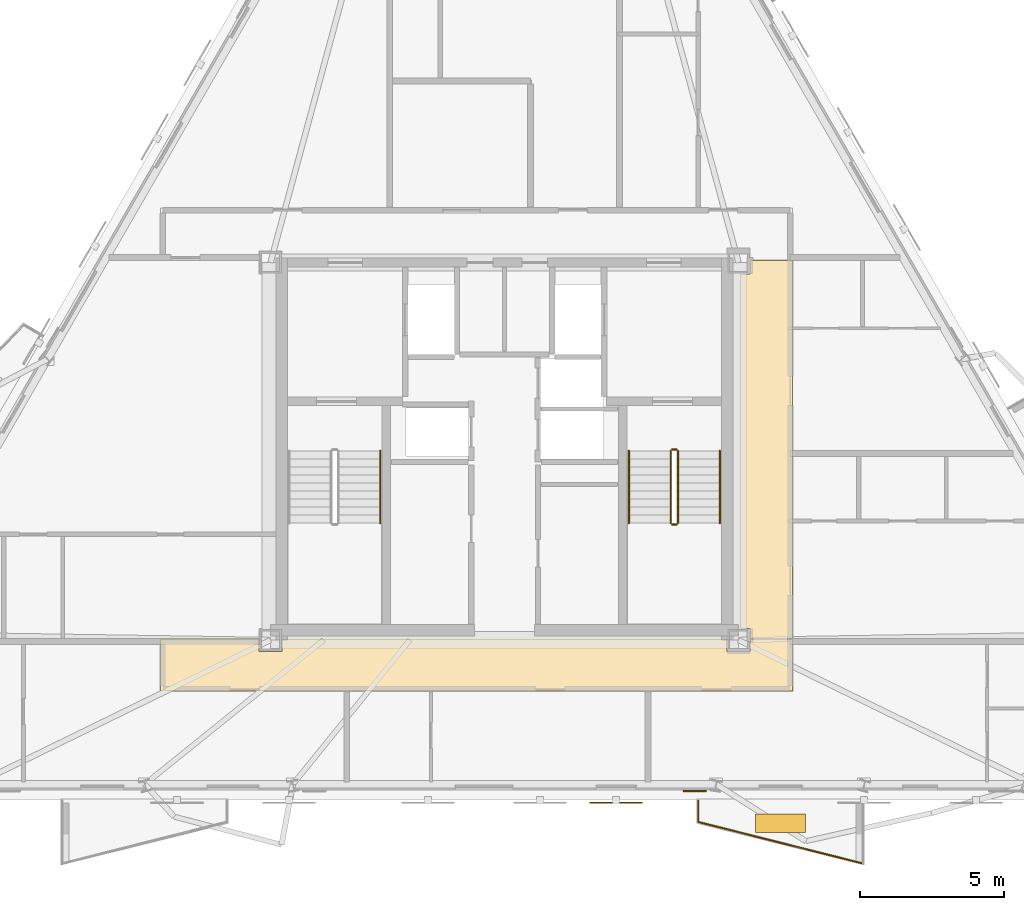
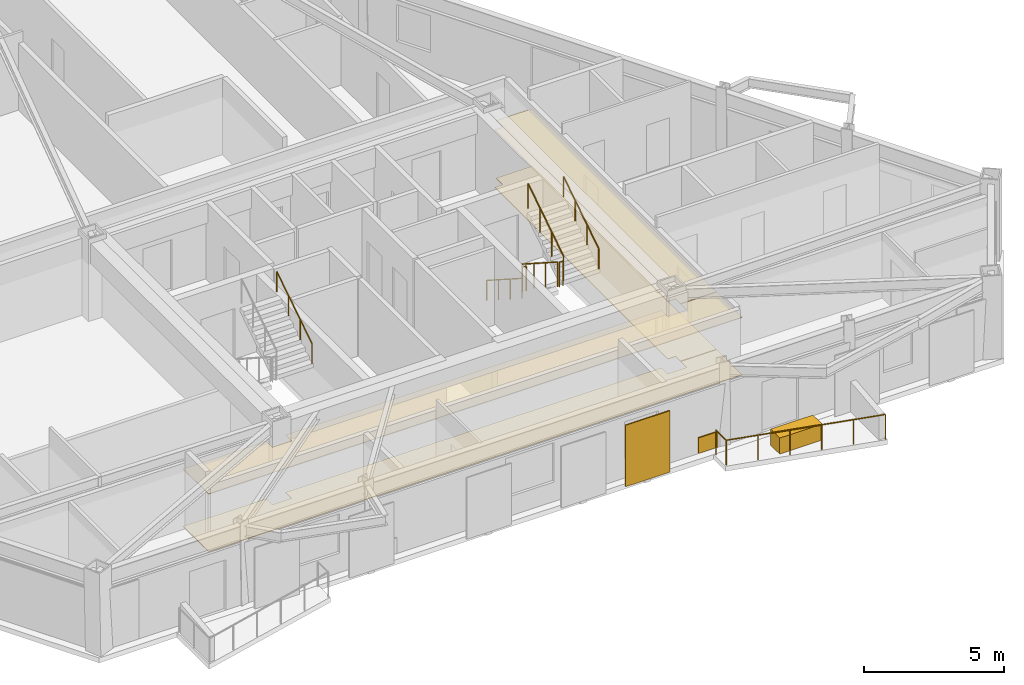
# One storey, part 8 of 9: 9 railings, 6 coverings, 1 shading device.
"""IFC4 building model written with IfcOpenShell, lengths in metres."""

from ifc_helpers import new_model, si_unit, direction, frame, origin, origin_2d, place, context, subcontext, project, spatial, polyline, rectangle, circle, outline, extrude, material, layer, layer_set, type_object, element, save


model = new_model("IFC4")

# Units and contexts
model_context = context("Model", 3, precision=1e-05, world=origin(), true_north=direction((0.0, 1.0)))
body_context = subcontext(model_context, "Body", "Model", "MODEL_VIEW")
ifc_project = project(units=[si_unit("LENGTHUNIT", "METRE"), si_unit("AREAUNIT", "SQUARE_METRE"), si_unit("VOLUMEUNIT", "CUBIC_METRE"), si_unit("PLANEANGLEUNIT", "RADIAN"), si_unit("MASSUNIT", "GRAM", prefix="KILO")], contexts=[model_context])

# Site, building, storey
site_placement = place(None, origin())
site = spatial("IfcSite", under=ifc_project, at=site_placement, CompositionType="ELEMENT")
building_placement = place(site_placement, origin())
building = spatial("IfcBuilding", under=site, at=building_placement, Name="Oramaril Tower", CompositionType="ELEMENT")
storey_placement = place(building_placement, frame((0.0, 0.0, 230.699951171875)))
storey = spatial("IfcBuildingStorey", under=building, at=storey_placement, Name="L61", CompositionType="ELEMENT", Elevation=230.699951171875)

# Coverings
ifc_material_1 = material(Name="Mineral Fibre Acoustic Ceiling")
ifc_layer_1 = layer(ifc_material_1, 0.02001953125)
ifc_layer_set_1 = layer_set([ifc_layer_1], Name="CVT-CEIL")
covering_type_1 = type_object("IfcCoveringType", Name="CVT-CEIL", PredefinedType="CEILING", material=ifc_layer_set_1)
covering_1_placement = place(storey_placement, frame((0.0, 0.0, 2.511962890625)))
element("IfcCovering", 1, at=covering_1_placement, inside=storey, type_object=covering_type_1, Name="L61 Acoustic Suspended Ceiling 1", PredefinedType="CEILING", context=body_context, shape_type="SweptSolid", body=[
    extrude(outline(polyline([(28.955078125, 10.60498046875), (29.7451171875, 10.60498046875), (29.7451171875, 11.030029296875), (45.2548828125, 11.030029296875), (45.2548828125, 10.60498046875), (46.044921875, 10.60498046875), (46.044921875, 11.030029296875), (47.530029296875, 11.030029296875), (47.530029296875, 9.219970703125), (25.52001953125, 9.219970703125), (25.52001953125, 11.030029296875), (28.955078125, 11.030029296875), (28.955078125, 10.60498046875)])), origin(), (0.0, 0.0, 1.0), 0.02001953125),
])
covering_2_placement = place(storey_placement, frame((0.0, 0.0, 2.511962890625)))
element("IfcCovering", 2, at=covering_2_placement, inside=storey, type_object=covering_type_1, Name="L61 Acoustic Suspended Ceiling 3", PredefinedType="CEILING", context=body_context, shape_type="SweptSolid", body=[
    extrude(outline(polyline([(47.530029296875, 11.050048828125), (46.044921875, 11.050048828125), (46.044921875, 11.39501953125), (45.719970703125, 11.39501953125), (45.719970703125, 23.7548828125), (46.044921875, 23.7548828125), (46.044921875, 24.219970703125), (47.530029296875, 24.219970703125), (47.530029296875, 11.050048828125)])), origin(), (0.0, 0.0, 1.0), 0.02001953125),
])
ifc_material_2 = material(Name="Warm Cream Limestone", Category="masonry")
ifc_layer_2 = layer(ifc_material_2, 0.050048828125)
ifc_layer_set_2 = layer_set([ifc_layer_2], Name="CVT-CLD")
covering_type_2 = type_object("IfcCoveringType", Name="CVT-CLD", PredefinedType="CLADDING", material=ifc_layer_set_2)
covering_3_placement = place(storey_placement, frame((44.123046875, 5.74609375, 0.0400390625), z_axis=(0.0, 0.0, 1.0), x_axis=(1.0, 0.0, 0.0)))
element("IfcCovering", 3, at=covering_3_placement, inside=storey, type_object=covering_type_2, Name="L61 Warm Cream Limestone Spandrel Cladding", PredefinedType="CLADDING", context=body_context, shape_type="SweptSolid", body=[
    extrude(rectangle(XDim=0.800048828125, YDim=0.050048828125, at=origin_2d()), origin(), (0.0, 0.0, 1.0), 0.679931640625),
])
covering_4_placement = place(storey_placement, frame((47.11328125, 4.61767578125, 0.0), z_axis=(0.0, 0.0, 1.0), x_axis=(1.0, 0.0, 0.0)))
element("IfcCovering", 4, at=covering_4_placement, inside=storey, type_object=covering_type_2, Name="L61 Structural Tree Planter Box L61-BAL-S2", PredefinedType="CLADDING", context=body_context, shape_type="SweptSolid", body=[
    extrude(rectangle(XDim=1.75, YDim=0.64990234375, at=origin_2d()), origin(), (0.0, 0.0, 1.0), 0.699951171875),
])
ifc_material_3 = material(Name="Honed Quartzite Stone Flooring", Category="masonry")
ifc_layer_3 = layer(ifc_material_3, 0.02490234375)
ifc_layer_set_3 = layer_set([ifc_layer_3], Name="CVT-FLR")
covering_type_3 = type_object("IfcCoveringType", Name="CVT-FLR", PredefinedType="FLOORING", material=ifc_layer_set_3)
covering_5_placement = place(storey_placement, origin())
element("IfcCovering", 5, at=covering_5_placement, inside=storey, type_object=covering_type_3, Name="L61 Honed Stone Floor Finish 1", PredefinedType="FLOORING", context=body_context, shape_type="SweptSolid", body=[
    extrude(outline(polyline([(28.955078125, 10.60498046875), (29.7451171875, 10.60498046875), (29.7451171875, 11.030029296875), (45.2548828125, 11.030029296875), (45.2548828125, 10.60498046875), (46.044921875, 10.60498046875), (46.044921875, 11.030029296875), (47.530029296875, 11.030029296875), (47.530029296875, 9.219970703125), (25.52001953125, 9.219970703125), (25.52001953125, 11.030029296875), (28.955078125, 11.030029296875), (28.955078125, 10.60498046875)])), origin(), (0.0, 0.0, 1.0), 0.025146484375),
])
covering_6_placement = place(storey_placement, origin())
element("IfcCovering", 6, at=covering_6_placement, inside=storey, type_object=covering_type_3, Name="L61 Honed Stone Floor Finish 3", PredefinedType="FLOORING", context=body_context, shape_type="SweptSolid", body=[
    extrude(outline(polyline([(47.530029296875, 11.050048828125), (46.044921875, 11.050048828125), (46.044921875, 11.39501953125), (45.719970703125, 11.39501953125), (45.719970703125, 23.7548828125), (46.044921875, 23.7548828125), (46.044921875, 24.219970703125), (47.530029296875, 24.219970703125), (47.530029296875, 11.050048828125)])), origin(), (0.0, 0.0, 1.0), 0.025146484375),
])

# Railings
ifc_material_4 = material(Name="Stainless Steel 316L", Category="steel")
railing_type_1 = type_object("IfcRailingType", Name="RLT-GRD", PredefinedType="GUARDRAIL", material=ifc_material_4)
railing_1_placement = place(storey_placement, frame((49.978271484375, 3.214111328125, 0.0)))
element("IfcRailing", 7, at=railing_1_placement, inside=storey, type_object=railing_type_1, Name="L61 Balcony Guardrail L61-BAL-S2.2", PredefinedType="GUARDRAIL", context=body_context, shape_type="SweptSolid", body=[
    extrude(circle(Radius=0.02392578125, at=origin_2d()), frame((0.0, 0.0, 1.076171875), z_axis=(-0.969443611257, 0.245314256807, 0.0), x_axis=(-0.245314256807, -0.969443611257, 0.0)), (0.0, 0.0, 1.0), 5.91064453125),
    extrude(circle(Radius=0.02099609375, at=origin_2d()), origin(), (0.0, 0.0, 1.0), 1.052001953125),
    extrude(circle(Radius=0.02099609375, at=origin_2d()), frame((-1.14599609375, 0.2900390625, 0.0)), (0.0, 0.0, 1.0), 1.052001953125),
    extrude(circle(Radius=0.02099609375, at=origin_2d()), frame((-2.2919921875, 0.580078125, 0.0)), (0.0, 0.0, 1.0), 1.052001953125),
    extrude(circle(Radius=0.02099609375, at=origin_2d()), frame((-3.43798828125, 0.869873046875, 0.0)), (0.0, 0.0, 1.0), 1.052001953125),
    extrude(circle(Radius=0.02099609375, at=origin_2d()), frame((-4.583984375, 1.159912109375, 0.0)), (0.0, 0.0, 1.0), 1.052001953125),
    extrude(circle(Radius=0.02099609375, at=origin_2d()), frame((-5.72998046875, 1.449951171875, 0.0)), (0.0, 0.0, 1.0), 1.052001953125),
])
railing_2_placement = place(storey_placement, frame((44.248291015625, 4.6640625, 0.0)))
element("IfcRailing", 8, at=railing_2_placement, inside=storey, type_object=railing_type_1, Name="L61 Balcony Guardrail L61-BAL-S2.3", PredefinedType="GUARDRAIL", context=body_context, shape_type="SweptSolid", body=[
    extrude(circle(Radius=0.02392578125, at=origin_2d()), frame((0.0, 0.0, 1.076171875), z_axis=(0.0, 1.0, 0.0), x_axis=(-1.0, 0.0, 0.0)), (0.0, 0.0, 1.0), 0.741943359375),
    extrude(circle(Radius=0.02099609375, at=origin_2d()), origin(), (0.0, 0.0, 1.0), 1.052001953125),
    extrude(circle(Radius=0.02099609375, at=origin_2d()), frame((0.0, 0.741943359375, 0.0)), (0.0, 0.0, 1.0), 1.052001953125),
])
railing_3_placement = place(storey_placement, frame((43.2900390625, 17.590087890625, 0.179931640625)))
element("IfcRailing", 9, at=railing_3_placement, inside=storey, type_object=railing_type_1, Name="L61 ST-2 stair guard 1", PredefinedType="GUARDRAIL", context=body_context, shape_type="SweptSolid", body=[
    extrude(circle(Radius=0.02392578125, at=origin_2d()), frame((0.0, 0.0, 1.076171875), z_axis=(0.0, -0.841162588446, 0.540782303519), x_axis=(1.0, 0.0, 0.0)), (0.0, 0.0, 1.0), 2.995849609375),
    extrude(circle(Radius=0.02099609375, at=origin_2d()), origin(), (0.0, 0.0, 1.0), 1.052001953125),
    extrude(circle(Radius=0.02099609375, at=origin_2d()), frame((0.0, -0.840087890625, 0.5400390625)), (0.0, 0.0, 1.0), 1.052001953125),
    extrude(circle(Radius=0.02099609375, at=origin_2d()), frame((0.0, -1.679931640625, 1.080078125)), (0.0, 0.0, 1.0), 1.052001953125),
    extrude(circle(Radius=0.02099609375, at=origin_2d()), frame((0.0, -2.52001953125, 1.6201171875)), (0.0, 0.0, 1.0), 1.052001953125),
])
railing_4_placement = place(storey_placement, frame((43.340087890625, 15.02001953125, 1.800048828125)))
element("IfcRailing", 10, at=railing_4_placement, inside=storey, type_object=railing_type_1, Name="L61 ST-2 stair guard 2", PredefinedType="GUARDRAIL", context=body_context, shape_type="SweptSolid", body=[
    extrude(circle(Radius=0.02392578125, at=origin_2d()), frame((0.0, 0.0, 1.076171875), z_axis=(1.0, 0.0, 0.0), x_axis=(0.0, 1.0, 0.0)), (0.0, 0.0, 1.0), 0.14990234375),
    extrude(circle(Radius=0.02099609375, at=origin_2d()), origin(), (0.0, 0.0, 1.0), 1.052001953125),
    extrude(circle(Radius=0.02099609375, at=origin_2d()), frame((0.14990234375, 0.0, 0.0)), (0.0, 0.0, 1.0), 1.052001953125),
])
railing_5_placement = place(storey_placement, frame((43.5400390625, 15.070068359375, 1.97998046875)))
element("IfcRailing", 11, at=railing_5_placement, inside=storey, type_object=railing_type_1, Name="L61 ST-2 stair guard 3", PredefinedType="GUARDRAIL", context=body_context, shape_type="SweptSolid", body=[
    extrude(circle(Radius=0.02392578125, at=origin_2d()), frame((0.0, 0.0, 1.076171875), z_axis=(0.0, 0.841162588446, 0.540782303519), x_axis=(-1.0, 0.0, 0.0)), (0.0, 0.0, 1.0), 2.995849609375),
    extrude(circle(Radius=0.02099609375, at=origin_2d()), origin(), (0.0, 0.0, 1.0), 1.052001953125),
    extrude(circle(Radius=0.02099609375, at=origin_2d()), frame((0.0, 0.840087890625, 0.5400390625)), (0.0, 0.0, 1.0), 1.052001953125),
    extrude(circle(Radius=0.02099609375, at=origin_2d()), frame((0.0, 1.679931640625, 1.080078125)), (0.0, 0.0, 1.0), 1.052001953125),
    extrude(circle(Radius=0.02099609375, at=origin_2d()), frame((0.0, 2.52001953125, 1.6201171875)), (0.0, 0.0, 1.0), 1.052001953125),
])
railing_6_placement = place(storey_placement, frame((43.340087890625, 17.639892578125, 0.0)))
element("IfcRailing", 12, at=railing_6_placement, inside=storey, type_object=railing_type_1, Name="L61 ST-2 stair guard 4", PredefinedType="GUARDRAIL", context=body_context, shape_type="SweptSolid", body=[
    extrude(circle(Radius=0.02392578125, at=origin_2d()), frame((0.0, 0.0, 1.076171875), z_axis=(1.0, 0.0, 0.0), x_axis=(0.0, 1.0, 0.0)), (0.0, 0.0, 1.0), 0.14990234375),
    extrude(circle(Radius=0.02099609375, at=origin_2d()), origin(), (0.0, 0.0, 1.0), 1.052001953125),
    extrude(circle(Radius=0.02099609375, at=origin_2d()), frame((0.14990234375, 0.0, 0.0)), (0.0, 0.0, 1.0), 1.052001953125),
])
ifc_material_5 = material(Name="Stainless Steel 316L", Category="steel")
railing_type_2 = type_object("IfcRailingType", Name="RLT-HND", PredefinedType="HANDRAIL", material=ifc_material_5)
railing_7_placement = place(storey_placement, frame((33.169921875, 15.070068359375, 1.97998046875)))
element("IfcRailing", 13, at=railing_7_placement, inside=storey, type_object=railing_type_2, Name="L61 ST-1 stair handrail 2", PredefinedType="HANDRAIL", context=body_context, shape_type="SweptSolid", body=[
    extrude(circle(Radius=0.02392578125, at=origin_2d()), frame((0.0, 0.0, 0.8759765625), z_axis=(0.0, 0.841162588446, 0.540782303519), x_axis=(-1.0, 0.0, 0.0)), (0.0, 0.0, 1.0), 2.995849609375),
    extrude(circle(Radius=0.02099609375, at=origin_2d()), origin(), (0.0, 0.0, 1.0), 0.851806640625),
    extrude(circle(Radius=0.02099609375, at=origin_2d()), frame((0.0, 0.840087890625, 0.5400390625)), (0.0, 0.0, 1.0), 0.851806640625),
    extrude(circle(Radius=0.02099609375, at=origin_2d()), frame((0.0, 1.679931640625, 1.080078125)), (0.0, 0.0, 1.0), 0.851806640625),
    extrude(circle(Radius=0.02099609375, at=origin_2d()), frame((0.0, 2.52001953125, 1.6201171875)), (0.0, 0.0, 1.0), 0.851806640625),
])
railing_8_placement = place(storey_placement, frame((41.830078125, 17.590087890625, 0.179931640625)))
element("IfcRailing", 14, at=railing_8_placement, inside=storey, type_object=railing_type_2, Name="L61 ST-2 stair handrail 1", PredefinedType="HANDRAIL", context=body_context, shape_type="SweptSolid", body=[
    extrude(circle(Radius=0.02392578125, at=origin_2d()), frame((0.0, 0.0, 0.8759765625), z_axis=(0.0, -0.841162588446, 0.540782303519), x_axis=(1.0, 0.0, 0.0)), (0.0, 0.0, 1.0), 2.995849609375),
    extrude(circle(Radius=0.02099609375, at=origin_2d()), origin(), (0.0, 0.0, 1.0), 0.851806640625),
    extrude(circle(Radius=0.02099609375, at=origin_2d()), frame((0.0, -0.840087890625, 0.5400390625)), (0.0, 0.0, 1.0), 0.851806640625),
    extrude(circle(Radius=0.02099609375, at=origin_2d()), frame((0.0, -1.679931640625, 1.080078125)), (0.0, 0.0, 1.0), 0.851806640625),
    extrude(circle(Radius=0.02099609375, at=origin_2d()), frame((0.0, -2.52001953125, 1.6201171875)), (0.0, 0.0, 1.0), 0.851806640625),
])
railing_9_placement = place(storey_placement, frame((45.0, 15.070068359375, 1.97998046875)))
element("IfcRailing", 15, at=railing_9_placement, inside=storey, type_object=railing_type_2, Name="L61 ST-2 stair handrail 2", PredefinedType="HANDRAIL", context=body_context, shape_type="SweptSolid", body=[
    extrude(circle(Radius=0.02392578125, at=origin_2d()), frame((0.0, 0.0, 0.8759765625), z_axis=(0.0, 0.841162588446, 0.540782303519), x_axis=(-1.0, 0.0, 0.0)), (0.0, 0.0, 1.0), 2.995849609375),
    extrude(circle(Radius=0.02099609375, at=origin_2d()), origin(), (0.0, 0.0, 1.0), 0.851806640625),
    extrude(circle(Radius=0.02099609375, at=origin_2d()), frame((0.0, 0.840087890625, 0.5400390625)), (0.0, 0.0, 1.0), 0.851806640625),
    extrude(circle(Radius=0.02099609375, at=origin_2d()), frame((0.0, 1.679931640625, 1.080078125)), (0.0, 0.0, 1.0), 0.851806640625),
    extrude(circle(Radius=0.02099609375, at=origin_2d()), frame((0.0, 2.52001953125, 1.6201171875)), (0.0, 0.0, 1.0), 0.851806640625),
])

# Shading device
shading_device_placement = place(storey_placement, frame((41.385986328125, 5.333984375, -0.02001953125), z_axis=(0.0, 0.0, 1.0), x_axis=(1.0, 0.0, 0.0)))
element("IfcShadingDevice", 16, at=shading_device_placement, inside=storey, Name="L61 Perforated Ceramic Solar Screen", ObjectType="SCREEN", PredefinedType="USERDEFINED", context=body_context, shape_type="SweptSolid", body=[
    extrude(rectangle(XDim=1.8330078125, YDim=0.050048828125, at=origin_2d()), origin(), (0.0, 0.0, 1.0), 2.677001953125),
])

save(model, "model.ifc")
